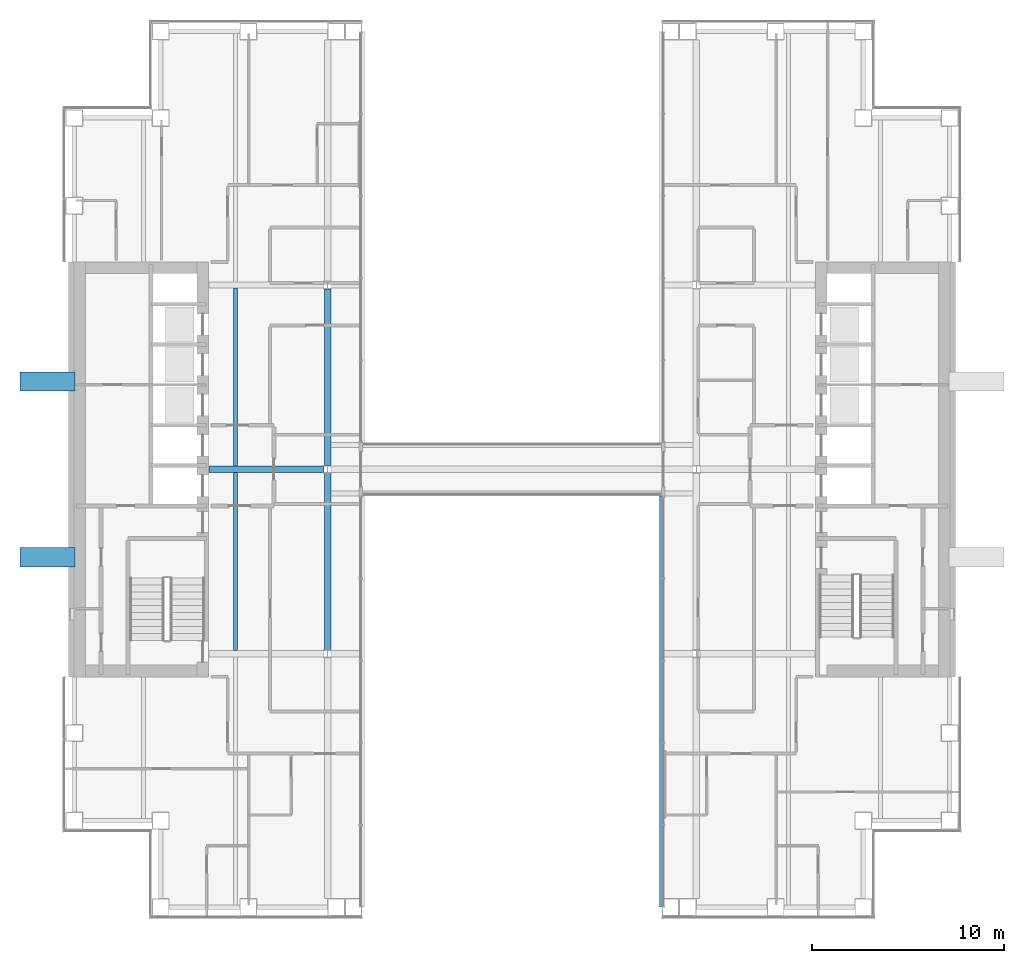
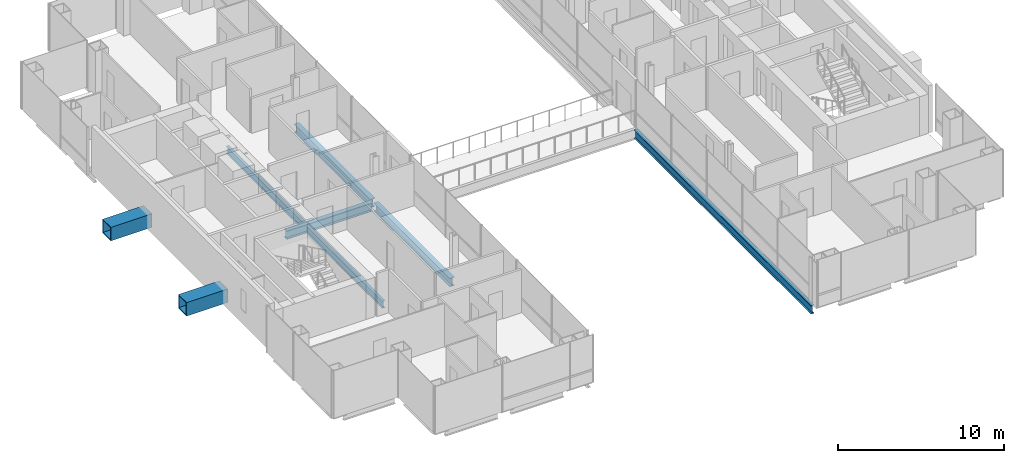
# One storey, part 3 of 17: 8 beams.
"""IFC4 building model written with IfcOpenShell, lengths in metres."""

from ifc_helpers import new_model, si_unit, direction, frame, origin, origin_2d, place, context, subcontext, project, spatial, hollow_rectangle, i_section, extrude, material, material_profile, profile_set, type_object, element, save


model = new_model("IFC4")

# Units and contexts
model_context = context("Model", 3, precision=1e-05, world=origin(), true_north=direction((0.0, 1.0)))
body_context = subcontext(model_context, "Body", "Model", "MODEL_VIEW")
ifc_project = project(units=[si_unit("LENGTHUNIT", "METRE"), si_unit("AREAUNIT", "SQUARE_METRE"), si_unit("VOLUMEUNIT", "CUBIC_METRE"), si_unit("PLANEANGLEUNIT", "RADIAN"), si_unit("MASSUNIT", "GRAM", prefix="KILO")], contexts=[model_context])

# Site, building, storey
site_placement = place(None, origin())
site = spatial("IfcSite", under=ifc_project, at=site_placement, CompositionType="ELEMENT")
building_placement = place(site_placement, origin())
building = spatial("IfcBuilding", under=site, at=building_placement, Name="Cobrizo Arcos Hotel Tower", CompositionType="ELEMENT")
storey_placement = place(building_placement, frame((0.0, 0.0, 134.5)))
storey = spatial("IfcBuildingStorey", under=building, at=storey_placement, Name="L34", CompositionType="ELEMENT", Elevation=134.5)

# Beams
ifc_material_1 = material(Name="Steel ASTM A572 Grade 50", Category="steel")
ifc_material_profile_1 = material_profile(ifc_material_1, hollow_rectangle(XDim=1.0, YDim=1.0, WallThickness=0.06005859375, at=origin_2d()), Name="BOX 1000X1000X60")
ifc_profile_set_1 = profile_set([ifc_material_profile_1], Name="Steel ASTM A572 Grade 50")
beam_type_1 = type_object("IfcBeamType", Name="BOX 1000X1000X60 brace connector strut", PredefinedType="BEAM", material=ifc_profile_set_1)
for number, where, z_axis, x_axis, name in (
    (1, (-22.75, -4.574951171875, 0.5), (-1.0, 0.0, 0.0), (0.0, -1.0, 0.0), "Perimeter brace stub BS1, zone Z2, west face, offset -4.58 m, L34"),
    (2, (-22.75, 4.574951171875, 0.5), (-1.0, 0.0, 0.0), (0.0, -1.0, 0.0), "Perimeter brace stub BS1, zone Z2, west face, offset +4.58 m, L34"),
):
    element("IfcBeam", number, at=place(storey_placement, frame(where, z_axis=z_axis, x_axis=x_axis)), inside=storey, type_object=beam_type_1, Name=name, PredefinedType="BEAM", context=body_context, shape_type="SweptSolid", body=[
        extrude(hollow_rectangle(XDim=1.0, YDim=1.0, WallThickness=0.06005859375, at=origin_2d()), origin(), (0.0, 0.0, 1.0), 2.8701171875),
    ])
ifc_material_2 = material(Name="Steel ASTM A992 Grade 50", Category="steel")
ifc_material_profile_2 = material_profile(ifc_material_2, i_section(OverallWidth=0.209228515625, OverallDepth=0.533447265625, WebThickness=0.01025390625, FlangeThickness=0.015625, at=origin_2d()), Name="W21X62")
ifc_profile_set_2 = profile_set([ifc_material_profile_2], Name="Steel ASTM A992 Grade 50")
beam_type_2 = type_object("IfcBeamType", Name="W21X62 joist", PredefinedType="JOIST", material=ifc_profile_set_2)
for number, where, z_axis, x_axis, name in (
    (3, (-14.39990234375, -9.43603515625, -0.416748046875), (0.0, 1.0, 0.0), (-1.0, 0.0, 0.0), "Floor joist J1, L34, no. 004"),
    (4, (-14.39990234375, 0.163818359375, -0.416748046875), (0.0, 1.0, 0.0), (-1.0, 0.0, 0.0), "Floor joist J1, L34, no. 005"),
):
    element("IfcBeam", number, at=place(storey_placement, frame(where, z_axis=z_axis, x_axis=x_axis)), inside=storey, type_object=beam_type_2, Name=name, PredefinedType="JOIST", context=body_context, shape_type="SweptSolid", body=[
        extrude(i_section(OverallWidth=0.209228515625, OverallDepth=0.533447265625, WebThickness=0.01025390625, FlangeThickness=0.015625, at=origin_2d()), origin(), (0.0, 0.0, 1.0), 9.272216796875),
    ])
ifc_material_profile_3 = material_profile(ifc_material_2, i_section(OverallWidth=0.32763671875, OverallDepth=0.622314453125, WebThickness=0.015380859375, FlangeThickness=0.0244140625, at=origin_2d()), Name="W24X131")
ifc_profile_set_3 = profile_set([ifc_material_profile_3], Name="Steel ASTM A992 Grade 50")
beam_type_3 = type_object("IfcBeamType", Name="W24X131 girder", PredefinedType="BEAM", material=ifc_profile_set_3)
beam_1_placement = place(storey_placement, frame((-15.7900390625, 0.0, -0.461181640625), z_axis=(1.0, 0.0, 0.0), x_axis=(0.0, 1.0, 0.0)))
element("IfcBeam", 5, at=beam_1_placement, inside=storey, type_object=beam_type_3, Name="Floor girder G1, L34, no. 005", PredefinedType="BEAM", context=body_context, shape_type="SweptSolid", body=[
    extrude(i_section(OverallWidth=0.32763671875, OverallDepth=0.622314453125, WebThickness=0.015380859375, FlangeThickness=0.0244140625, at=origin_2d()), origin(), (0.0, 0.0, 1.0), 5.99072265625),
])
for number, where, z_axis, x_axis, name in (
    (6, (-9.60009765625, -9.400634765625, -0.461181640625), (0.0, 1.0, 0.0), (-1.0, 0.0, 0.0), "Floor girder G1, L34, no. 013"),
    (7, (-9.60009765625, 0.199462890625, -0.461181640625), (0.0, 1.0, 0.0), (-1.0, 0.0, 0.0), "Floor girder G1, L34, no. 014"),
):
    element("IfcBeam", number, at=place(storey_placement, frame(where, z_axis=z_axis, x_axis=x_axis)), inside=storey, type_object=beam_type_3, Name=name, PredefinedType="BEAM", context=body_context, shape_type="SweptSolid", body=[
        extrude(i_section(OverallWidth=0.32763671875, OverallDepth=0.622314453125, WebThickness=0.015380859375, FlangeThickness=0.0244140625, at=origin_2d()), origin(), (0.0, 0.0, 1.0), 9.201171875),
    ])
ifc_material_profile_4 = material_profile(ifc_material_2, i_section(OverallWidth=0.23046875, OverallDepth=0.6171875, WebThickness=0.01318359375, FlangeThickness=0.022216796875, at=origin_2d()), Name="W24X94")
ifc_profile_set_4 = profile_set([ifc_material_profile_4], Name="Steel ASTM A992 Grade 50")
beam_type_4 = type_object("IfcBeamType", Name="W24X94 spandrel", PredefinedType="SPANDREL", material=ifc_profile_set_4)
beam_2_placement = place(storey_placement, frame((7.800048828125, -22.800048828125, -0.45849609375), z_axis=(0.0, 1.0, 0.0), x_axis=(-1.0, 0.0, 0.0)))
element("IfcBeam", 8, at=beam_2_placement, inside=storey, type_object=beam_type_4, Name="Spandrel beam W24X94, L34, no. 010", PredefinedType="SPANDREL", context=body_context, shape_type="SweptSolid", body=[
    extrude(i_section(OverallWidth=0.23046875, OverallDepth=0.6171875, WebThickness=0.01318359375, FlangeThickness=0.022216796875, at=origin_2d()), origin(), (0.0, 0.0, 1.0), 21.400146484375),
])

save(model, "model.ifc")
